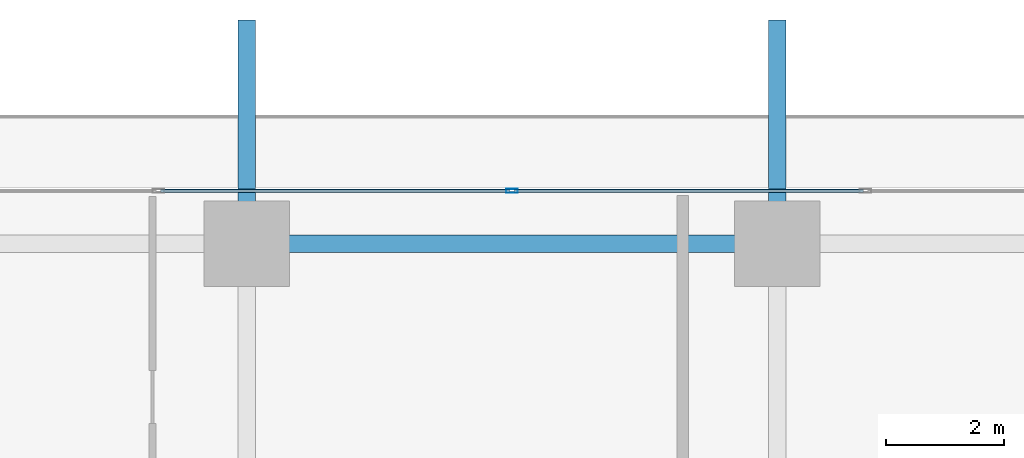
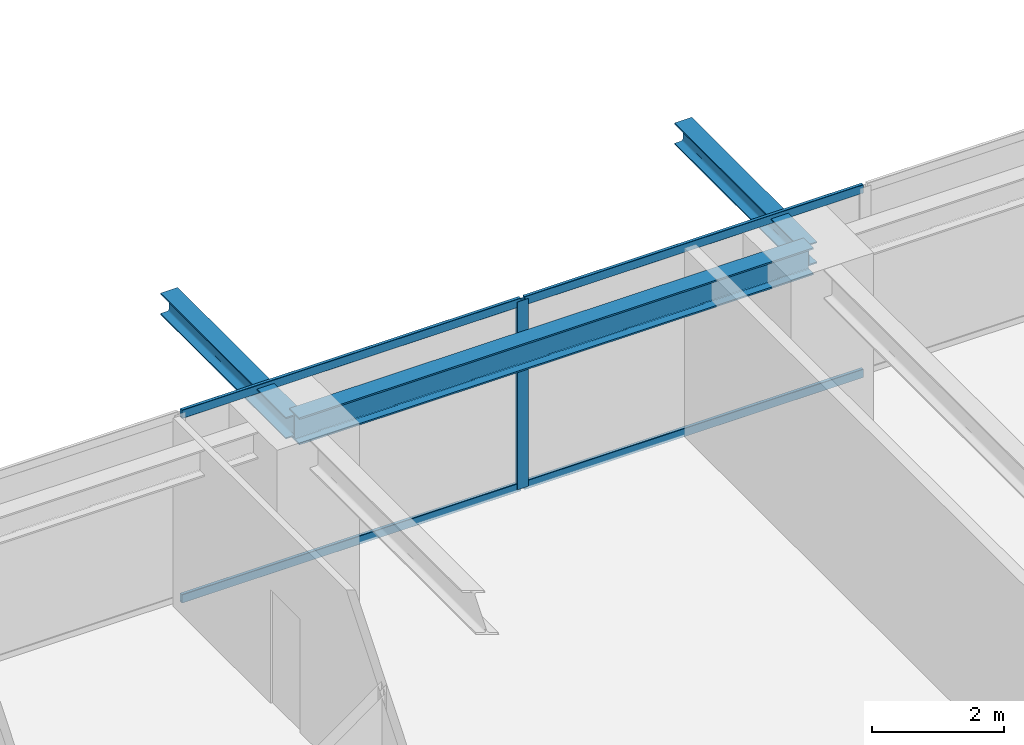
# One storey, part 21 of 39: 5 members, 3 beams, 1 element without a shape of its own.
"""IFC4 building model written with IfcOpenShell, lengths in metres."""

from ifc_helpers import new_model, si_unit, direction, frame, origin, origin_2d, place, context, subcontext, project, spatial, hollow_rectangle, i_section, extrude, source, transform, mapped, material, layer, layer_set, material_profile, profile_set, type_object, element, aggregate, save


model = new_model("IFC4")

# Units and contexts
model_context = context("Model", 3, precision=1e-05, world=origin(), true_north=direction((0.0, 1.0)))
body_context = subcontext(model_context, "Body", "Model", "MODEL_VIEW")
ifc_project = project(units=[si_unit("LENGTHUNIT", "METRE"), si_unit("AREAUNIT", "SQUARE_METRE"), si_unit("VOLUMEUNIT", "CUBIC_METRE"), si_unit("PLANEANGLEUNIT", "RADIAN"), si_unit("MASSUNIT", "GRAM", prefix="KILO")], contexts=[model_context])

# Site, building, storey
site_placement = place(None, origin())
site = spatial("IfcSite", under=ifc_project, at=site_placement, CompositionType="ELEMENT")
building_placement = place(site_placement, origin())
building = spatial("IfcBuilding", under=site, at=building_placement, Name="Serunith Strait Residences", CompositionType="ELEMENT")
storey_placement = place(building_placement, frame((0.0, 0.0, 79.199951171875)))
storey = spatial("IfcBuildingStorey", under=building, at=storey_placement, Name="L19", CompositionType="ELEMENT", Elevation=79.199951171875)

# Beams
ifc_material_1 = material(Name="Steel S355J2", Category="steel")
ifc_material_profile_1 = material_profile(ifc_material_1, i_section(OverallWidth=0.300048828125, OverallDepth=0.5, WebThickness=0.014404296875, FlangeThickness=0.028076171875, FilletRadius=0.027099609375, at=origin_2d()), Name="HEB 500")
ifc_profile_set_1 = profile_set([ifc_material_profile_1], Name="Steel S355J2")
beam_type_1 = type_object("IfcBeamType", Name="BM-HEB500", PredefinedType="BEAM", material=ifc_profile_set_1)
shared_shape_1 = source(origin(), body_context, "Body", "SweptSolid", [
    extrude(i_section(OverallWidth=0.300048828125, OverallDepth=0.5, WebThickness=0.014404296875, FlangeThickness=0.028076171875, FilletRadius=0.027099609375, at=origin_2d()), origin(), (0.0, 0.0, 1.0), 9.0),
])
beam_placement = place(storey_placement, frame((36.89990234375, 49.300048828125, 3.237060546875), z_axis=(-1.0, 0.0, 0.0), x_axis=(0.0, -1.0, 0.0)))
element("IfcBeam", 1, at=beam_placement, inside=storey, type_object=beam_type_1, Name="L19 Perimeter Ring Beam 10", PredefinedType="BEAM", context=body_context, shape_type="MappedRepresentation", body=[
    mapped(shared_shape_1, transform((0.0, 0.0, 0.0), scale=1.0)),
])
ifc_material_profile_2 = material_profile(ifc_material_1, i_section(OverallWidth=0.300048828125, OverallDepth=0.39990234375, WebThickness=0.013427734375, FlangeThickness=0.02392578125, FilletRadius=0.027099609375, at=origin_2d()), Name="HEB 400")
ifc_profile_set_2 = profile_set([ifc_material_profile_2], Name="Steel S355J2")
beam_type_2 = type_object("IfcBeamType", Name="BM-HEB400", PredefinedType="BEAM", material=ifc_profile_set_2)
shared_shape_2 = source(origin(), body_context, "Body", "SweptSolid", [
    extrude(i_section(OverallWidth=0.300048828125, OverallDepth=0.39990234375, WebThickness=0.013427734375, FlangeThickness=0.02392578125, FilletRadius=0.027099609375, at=origin_2d()), origin(), (0.0, 0.0, 1.0), 3.800048828125),
])
for number, where, z_axis, x_axis, name in (
    (2, (27.89990234375, 49.300048828125, 3.257080078125), (0.0, 1.0, 0.0), (-1.0, 0.0, 0.0), "L20 Cantilevered Balcony Rib TC-N2"),
    (3, (36.89990234375, 49.300048828125, 3.257080078125), (0.0, 1.0, 0.0), (-1.0, 0.0, 0.0), "L20 Cantilevered Balcony Rib TC-N3"),
):
    element("IfcBeam", number, at=place(storey_placement, frame(where, z_axis=z_axis, x_axis=x_axis)), inside=storey, type_object=beam_type_2, Name=name, PredefinedType="BEAM", context=body_context, shape_type="MappedRepresentation", body=[
        mapped(shared_shape_2, transform((0.0, 0.0, 0.0), scale=1.0)),
    ])

# Curtain wall, members
ifc_material_2 = material(Name="Pale-Champagne Anodised Aluminium", Category="aluminium")
ifc_layer = layer(ifc_material_2, 0.199951171875, Name="Pale-Champagne Anodised Aluminium")
ifc_layer_set = layer_set([ifc_layer], Name="Pale-Champagne Anodised Aluminium")
curtain_wall_type = type_object("IfcCurtainWallType", Name="CW-SYS1", PredefinedType="NOTDEFINED", material=ifc_layer_set)
curtain_wall_placement = place(storey_placement, origin())
curtain_wall = element("IfcCurtainWall", 4, at=curtain_wall_placement, inside=storey, type_object=curtain_wall_type, Name="L19 N Unitised Fritted Curtain Wall", PredefinedType="NOTDEFINED")
ifc_material_profile_3 = material_profile(ifc_material_2, hollow_rectangle(XDim=0.070068359375, YDim=0.199951171875, WallThickness=0.00390625, InnerFilletRadius=0.006103515625, OuterFilletRadius=0.010009765625, at=origin_2d()), Name="ALU 200x70x4")
ifc_profile_set_3 = profile_set([ifc_material_profile_3], Name="Pale-Champagne Anodised Aluminium")
member_type_1 = type_object("IfcMemberType", Name="CW-SYS1-MULL", PredefinedType="MULLION", material=ifc_profile_set_3)
shared_shape_3 = source(origin(), body_context, "Body", "SweptSolid", [
    extrude(hollow_rectangle(XDim=0.070068359375, YDim=0.199951171875, WallThickness=0.00390625, InnerFilletRadius=0.006103515625, OuterFilletRadius=0.010009765625, at=origin_2d()), origin(), (0.0, 0.0, 1.0), 3.47509765625),
])
member_1_placement = place(storey_placement, frame((32.39990234375, 50.199951171875, 0.0), z_axis=(0.0, 0.0, 1.0), x_axis=(0.0, -1.0, 0.0)))
member_1 = element("IfcMember", 5, at=member_1_placement, type_object=member_type_1, Name="CW-1 mullion 4", PredefinedType="MULLION", context=body_context, shape_type="MappedRepresentation", body=[
    mapped(shared_shape_3, transform((0.0, 0.0, 0.0), scale=1.0)),
])
ifc_material_profile_4 = material_profile(ifc_material_2, hollow_rectangle(XDim=0.06005859375, YDim=0.159912109375, WallThickness=0.00341796875, InnerFilletRadius=0.00537109375, OuterFilletRadius=0.0087890625, at=origin_2d()), Name="ALU 160x60x3.5")
ifc_profile_set_4 = profile_set([ifc_material_profile_4], Name="Pale-Champagne Anodised Aluminium")
member_type_2 = type_object("IfcMemberType", Name="CW-SYS1-TRAN", PredefinedType="USERDEFINED", material=ifc_profile_set_4)
shared_shape_4 = source(origin(), body_context, "Body", "SweptSolid", [
    extrude(hollow_rectangle(XDim=0.06005859375, YDim=0.159912109375, WallThickness=0.00341796875, InnerFilletRadius=0.00537109375, OuterFilletRadius=0.0087890625, at=origin_2d()), origin(), (0.0, 0.0, 1.0), 5.929931640625),
])
member_2_placement = place(storey_placement, frame((38.364990234375, 50.199951171875, 0.030029296875), z_axis=(-1.0, 0.0, 0.0), x_axis=(0.0, -1.0, 0.0)))
member_2 = element("IfcMember", 6, at=member_2_placement, type_object=member_type_2, Name="CW-1 transom 3.1", ObjectType="TRANSOM", PredefinedType="USERDEFINED", context=body_context, shape_type="MappedRepresentation", body=[
    mapped(shared_shape_4, transform((0.0, 0.0, 0.0), scale=1.0)),
])
member_3_placement = place(storey_placement, frame((38.364990234375, 50.199951171875, 3.445068359375), z_axis=(-1.0, 0.0, 0.0), x_axis=(0.0, -1.0, 0.0)))
member_3 = element("IfcMember", 7, at=member_3_placement, type_object=member_type_2, Name="CW-1 transom 3.2", ObjectType="TRANSOM", PredefinedType="USERDEFINED", context=body_context, shape_type="MappedRepresentation", body=[
    mapped(shared_shape_4, transform((0.0, 0.0, 0.0), scale=1.0)),
])
member_4_placement = place(storey_placement, frame((32.364990234375, 50.199951171875, 0.030029296875), z_axis=(-1.0, 0.0, 0.0), x_axis=(0.0, -1.0, 0.0)))
member_4 = element("IfcMember", 8, at=member_4_placement, type_object=member_type_2, Name="CW-1 transom 4.1", ObjectType="TRANSOM", PredefinedType="USERDEFINED", context=body_context, shape_type="MappedRepresentation", body=[
    mapped(shared_shape_4, transform((0.0, 0.0, 0.0), scale=1.0)),
])
member_5_placement = place(storey_placement, frame((32.364990234375, 50.199951171875, 3.445068359375), z_axis=(-1.0, 0.0, 0.0), x_axis=(0.0, -1.0, 0.0)))
member_5 = element("IfcMember", 9, at=member_5_placement, type_object=member_type_2, Name="CW-1 transom 4.2", ObjectType="TRANSOM", PredefinedType="USERDEFINED", context=body_context, shape_type="MappedRepresentation", body=[
    mapped(shared_shape_4, transform((0.0, 0.0, 0.0), scale=1.0)),
])
aggregate(curtain_wall, [member_1, member_2, member_3, member_4, member_5])

save(model, "model.ifc")
